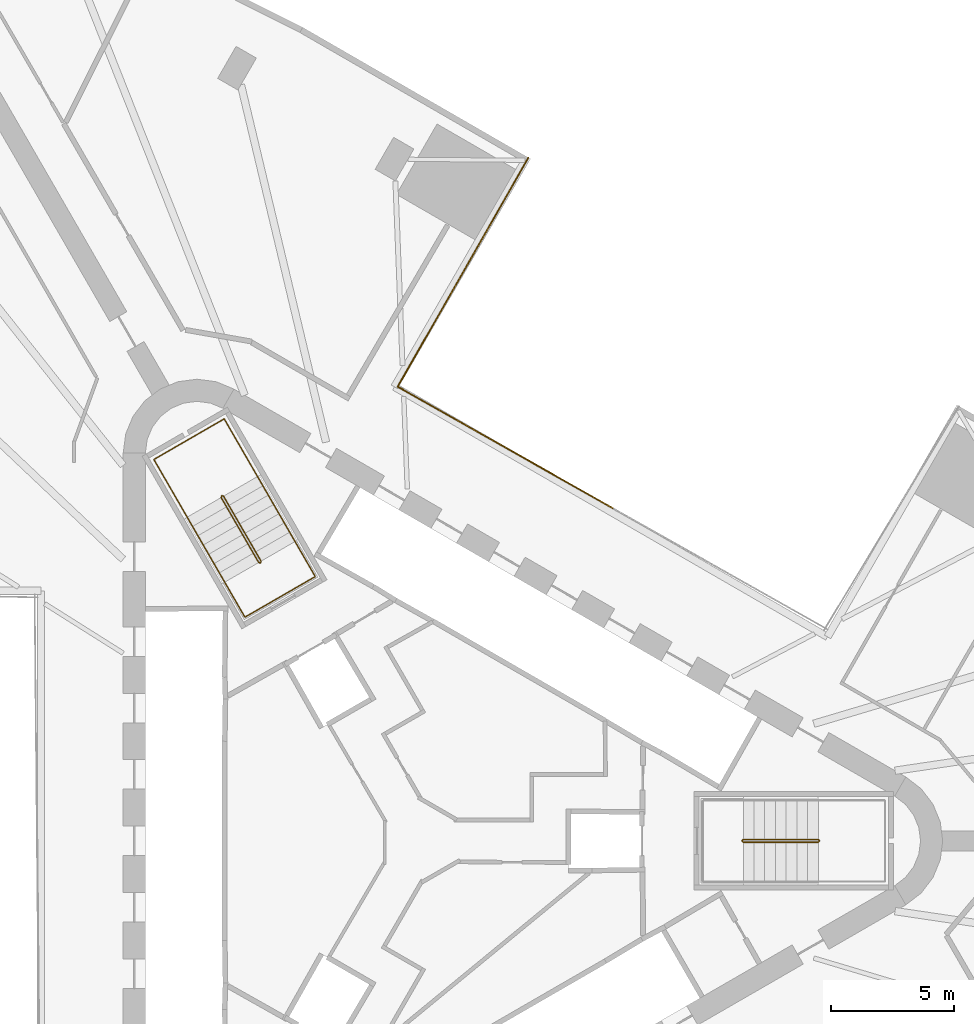
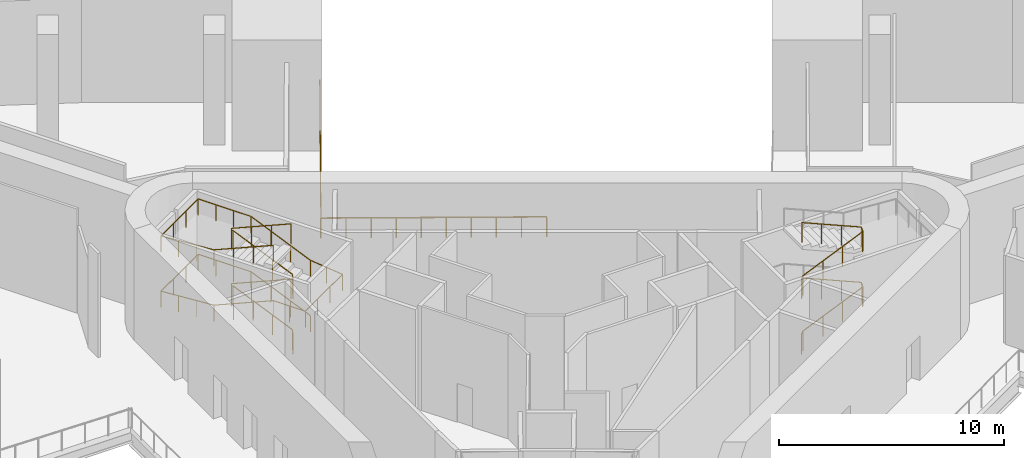
# One storey, part 10 of 11: 5 railings.
"""IFC4 building model written with IfcOpenShell, lengths in metres."""

from ifc_helpers import new_model, si_unit, direction, frame, origin, origin_2d, place, context, subcontext, project, spatial, circle, extrude, material, type_object, element, save


model = new_model("IFC4")

# Units and contexts
model_context = context("Model", 3, precision=1e-05, world=origin(), true_north=direction((0.0, 1.0)))
body_context = subcontext(model_context, "Body", "Model", "MODEL_VIEW")
ifc_project = project(units=[si_unit("LENGTHUNIT", "METRE"), si_unit("AREAUNIT", "SQUARE_METRE"), si_unit("VOLUMEUNIT", "CUBIC_METRE"), si_unit("PLANEANGLEUNIT", "RADIAN"), si_unit("MASSUNIT", "GRAM", prefix="KILO")], contexts=[model_context])

# Site, building, storey
site_placement = place(None, origin())
site = spatial("IfcSite", under=ifc_project, at=site_placement, CompositionType="ELEMENT")
building_placement = place(site_placement, origin())
building = spatial("IfcBuilding", under=site, at=building_placement, Name="Tanit Gate Tower", CompositionType="ELEMENT")
storey_placement = place(building_placement, frame((0.0, 0.0, 33.5)))
storey = spatial("IfcBuildingStorey", under=building, at=storey_placement, Name="L05", CompositionType="ELEMENT", Elevation=33.5)

# Railings
ifc_material_1 = material(Name="Stainless steel", Category="steel")
railing_type_1 = type_object("IfcRailingType", Name="Guard 1100 stainless steel balustrade", PredefinedType="GUARDRAIL", material=ifc_material_1)
railing_1_placement = place(storey_placement, frame((4.366943359375, 27.763916015625, 0.0)))
element("IfcRailing", 1, at=railing_1_placement, inside=storey, type_object=railing_type_1, Name="Tunnel edge guard L05 6", PredefinedType="GUARDRAIL", context=body_context, shape_type="SweptSolid", body=[
    extrude(circle(Radius=0.02392578125, at=origin_2d()), frame((0.0, 0.0, 1.076171875), z_axis=(-0.495702152138, -0.86849258855, 0.0), x_axis=(0.86849258855, -0.495702152138, 0.0)), (0.0, 0.0, 1.0), 10.716064453125),
    extrude(circle(Radius=0.02099609375, at=origin_2d()), origin(), (0.0, 0.0, 1.0), 1.052001953125),
    extrude(circle(Radius=0.02099609375, at=origin_2d()), frame((-0.59033203125, -1.0341796875, 0.0)), (0.0, 0.0, 1.0), 1.052001953125),
    extrude(circle(Radius=0.02099609375, at=origin_2d()), frame((-1.180419921875, -2.068115234375, 0.0)), (0.0, 0.0, 1.0), 1.052001953125),
    extrude(circle(Radius=0.02099609375, at=origin_2d()), frame((-1.770751953125, -3.102294921875, 0.0)), (0.0, 0.0, 1.0), 1.052001953125),
    extrude(circle(Radius=0.02099609375, at=origin_2d()), frame((-2.36083984375, -4.136474609375, 0.0)), (0.0, 0.0, 1.0), 1.052001953125),
    extrude(circle(Radius=0.02099609375, at=origin_2d()), frame((-2.951171875, -5.17041015625, 0.0)), (0.0, 0.0, 1.0), 1.052001953125),
    extrude(circle(Radius=0.02099609375, at=origin_2d()), frame((-3.541259765625, -6.20458984375, 0.0)), (0.0, 0.0, 1.0), 1.052001953125),
    extrude(circle(Radius=0.02099609375, at=origin_2d()), frame((-4.131591796875, -7.23876953125, 0.0)), (0.0, 0.0, 1.0), 1.052001953125),
    extrude(circle(Radius=0.02099609375, at=origin_2d()), frame((-4.7216796875, -8.272705078125, 0.0)), (0.0, 0.0, 1.0), 1.052001953125),
    extrude(circle(Radius=0.02099609375, at=origin_2d()), frame((-5.31201171875, -9.306884765625, 0.0)), (0.0, 0.0, 1.0), 1.052001953125),
])
railing_2_placement = place(storey_placement, frame((-0.945068359375, 18.45703125, 0.0)))
element("IfcRailing", 2, at=railing_2_placement, inside=storey, type_object=railing_type_1, Name="Tunnel edge guard L05 6", PredefinedType="GUARDRAIL", context=body_context, shape_type="SweptSolid", body=[
    extrude(circle(Radius=0.02392578125, at=origin_2d()), frame((0.0, 0.0, 1.076171875), z_axis=(0.870687554571, -0.491836540239, 0.0), x_axis=(0.491836540239, 0.870687554571, 0.0)), (0.0, 0.0, 1.0), 10.02392578125),
    extrude(circle(Radius=0.02099609375, at=origin_2d()), origin(), (0.0, 0.0, 1.0), 1.052001953125),
    extrude(circle(Radius=0.02099609375, at=origin_2d()), frame((0.9697265625, -0.5478515625, 0.0)), (0.0, 0.0, 1.0), 1.052001953125),
    extrude(circle(Radius=0.02099609375, at=origin_2d()), frame((1.939453125, -1.095703125, 0.0)), (0.0, 0.0, 1.0), 1.052001953125),
    extrude(circle(Radius=0.02099609375, at=origin_2d()), frame((2.9091796875, -1.643310546875, 0.0)), (0.0, 0.0, 1.0), 1.052001953125),
    extrude(circle(Radius=0.02099609375, at=origin_2d()), frame((3.87890625, -2.191162109375, 0.0)), (0.0, 0.0, 1.0), 1.052001953125),
    extrude(circle(Radius=0.02099609375, at=origin_2d()), frame((4.848876953125, -2.739013671875, 0.0)), (0.0, 0.0, 1.0), 1.052001953125),
    extrude(circle(Radius=0.02099609375, at=origin_2d()), frame((5.818603515625, -3.286865234375, 0.0)), (0.0, 0.0, 1.0), 1.052001953125),
    extrude(circle(Radius=0.02099609375, at=origin_2d()), frame((6.788330078125, -3.83447265625, 0.0)), (0.0, 0.0, 1.0), 1.052001953125),
    extrude(circle(Radius=0.02099609375, at=origin_2d()), frame((7.758056640625, -4.38232421875, 0.0)), (0.0, 0.0, 1.0), 1.052001953125),
    extrude(circle(Radius=0.02099609375, at=origin_2d()), frame((8.727783203125, -4.93017578125, 0.0)), (0.0, 0.0, 1.0), 1.052001953125),
])
ifc_material_2 = material(Name="Stainless steel balustrade", Category="steel")
railing_type_2 = type_object("IfcRailingType", Name="INT-STAIR-GUARD", PredefinedType="GUARDRAIL", material=ifc_material_2)
railing_3_placement = place(storey_placement, frame((13.044921875, 0.0048828125, 0.0)))
element("IfcRailing", 3, at=railing_3_placement, inside=storey, type_object=railing_type_2, Name="L05 S1 stair guard 1", PredefinedType="GUARDRAIL", context=body_context, shape_type="SweptSolid", body=[
    extrude(circle(Radius=0.02392578125, at=origin_2d()), frame((0.0, 0.0, 1.076171875), z_axis=(0.0, -1.0, 0.0), x_axis=(1.0, 0.0, 0.0)), (0.0, 0.0, 1.0), 0.009765625),
    extrude(circle(Radius=0.02392578125, at=origin_2d()), frame((0.0, -0.009765625, 1.076171875), z_axis=(0.249726431254, -0.249726431254, 0.935560483917), x_axis=(0.707106781187, 0.707106781187, 0.0)), (0.0, 0.0, 1.0), 0.200439453125),
    extrude(circle(Radius=0.02392578125, at=origin_2d()), frame((0.050048828125, -0.059814453125, 1.263671875), z_axis=(0.918608089886, 0.0, 0.395169808052), x_axis=(0.0, 1.0, 0.0)), (0.0, 0.0, 1.0), 3.3212890625),
    extrude(circle(Radius=0.02392578125, at=origin_2d()), frame((3.10107421875, -0.059814453125, 2.576171875), z_axis=(0.707106781187, 0.707106781187, 0.0), x_axis=(-0.707106781187, 0.707106781187, 0.0)), (0.0, 0.0, 1.0), 0.07080078125),
    extrude(circle(Radius=0.02392578125, at=origin_2d()), frame((3.151123046875, -0.009765625, 2.576171875), z_axis=(0.0, 1.0, 0.0), x_axis=(-1.0, 0.0, 0.0)), (0.0, 0.0, 1.0), 0.009765625),
    extrude(circle(Radius=0.02392578125, at=origin_2d()), frame((3.151123046875, 0.0, 2.576171875), z_axis=(-0.249726431254, 0.249726431254, 0.935560483917), x_axis=(-0.707106781187, -0.707106781187, 0.0)), (0.0, 0.0, 1.0), 0.200439453125),
    extrude(circle(Radius=0.02392578125, at=origin_2d()), frame((3.10107421875, 0.050048828125, 2.763671875), z_axis=(-0.918608089886, 0.0, 0.395169808052), x_axis=(0.0, -1.0, 0.0)), (0.0, 0.0, 1.0), 3.3212890625),
    extrude(circle(Radius=0.02392578125, at=origin_2d()), frame((0.050048828125, 0.050048828125, 4.076171875), z_axis=(-0.707106781187, -0.707106781187, 0.0), x_axis=(0.707106781187, -0.707106781187, 0.0)), (0.0, 0.0, 1.0), 0.07080078125),
    extrude(circle(Radius=0.02392578125, at=origin_2d()), frame((0.0, 0.0, 4.076171875), z_axis=(0.0, -1.0, 0.0), x_axis=(1.0, 0.0, 0.0)), (0.0, 0.0, 1.0), 0.009765625),
    extrude(circle(Radius=0.02392578125, at=origin_2d()), frame((0.0, -0.009765625, 4.076171875), z_axis=(0.249726431254, -0.249726431254, 0.935560483917), x_axis=(0.707106781187, 0.707106781187, 0.0)), (0.0, 0.0, 1.0), 0.200439453125),
    extrude(circle(Radius=0.02392578125, at=origin_2d()), frame((0.050048828125, -0.059814453125, 4.263671875), z_axis=(0.918608089886, 0.0, 0.395169808052), x_axis=(0.0, 1.0, 0.0)), (0.0, 0.0, 1.0), 3.3212890625),
    extrude(circle(Radius=0.02392578125, at=origin_2d()), frame((3.10107421875, -0.059814453125, 5.576171875), z_axis=(0.707106781187, 0.707106781187, 0.0), x_axis=(-0.707106781187, 0.707106781187, 0.0)), (0.0, 0.0, 1.0), 0.07080078125),
    extrude(circle(Radius=0.02392578125, at=origin_2d()), frame((3.151123046875, -0.009765625, 5.576171875), z_axis=(0.0, 1.0, 0.0), x_axis=(-1.0, 0.0, 0.0)), (0.0, 0.0, 1.0), 0.009765625),
    extrude(circle(Radius=0.02392578125, at=origin_2d()), frame((3.151123046875, 0.0, 5.576171875), z_axis=(-0.249726431254, 0.249726431254, 0.935560483917), x_axis=(-0.707106781187, -0.707106781187, 0.0)), (0.0, 0.0, 1.0), 0.200439453125),
    extrude(circle(Radius=0.02392578125, at=origin_2d()), frame((3.10107421875, 0.050048828125, 5.763671875), z_axis=(-0.918608089886, 0.0, 0.395169808052), x_axis=(0.0, -1.0, 0.0)), (0.0, 0.0, 1.0), 3.3212890625),
    extrude(circle(Radius=0.02099609375, at=origin_2d()), origin(), (0.0, 0.0, 1.0), 1.052001953125),
    extrude(circle(Radius=0.02099609375, at=origin_2d()), frame((0.0, -0.009765625, 0.0)), (0.0, 0.0, 1.0), 1.052001953125),
    extrude(circle(Radius=0.02099609375, at=origin_2d()), frame((0.050048828125, -0.059814453125, 0.1875)), (0.0, 0.0, 1.0), 1.052001953125),
    extrude(circle(Radius=0.02099609375, at=origin_2d()), frame((1.067138671875, -0.059814453125, 0.625)), (0.0, 0.0, 1.0), 1.052001953125),
    extrude(circle(Radius=0.02099609375, at=origin_2d()), frame((2.083984375, -0.059814453125, 1.0625)), (0.0, 0.0, 1.0), 1.052001953125),
    extrude(circle(Radius=0.02099609375, at=origin_2d()), frame((3.10107421875, -0.059814453125, 1.5)), (0.0, 0.0, 1.0), 1.052001953125),
    extrude(circle(Radius=0.02099609375, at=origin_2d()), frame((3.151123046875, -0.009765625, 1.5)), (0.0, 0.0, 1.0), 1.052001953125),
    extrude(circle(Radius=0.02099609375, at=origin_2d()), frame((3.151123046875, 0.0, 1.5)), (0.0, 0.0, 1.0), 1.052001953125),
    extrude(circle(Radius=0.02099609375, at=origin_2d()), frame((3.10107421875, 0.050048828125, 1.6875)), (0.0, 0.0, 1.0), 1.052001953125),
    extrude(circle(Radius=0.02099609375, at=origin_2d()), frame((2.083984375, 0.050048828125, 2.125)), (0.0, 0.0, 1.0), 1.052001953125),
    extrude(circle(Radius=0.02099609375, at=origin_2d()), frame((1.067138671875, 0.050048828125, 2.5625)), (0.0, 0.0, 1.0), 1.052001953125),
    extrude(circle(Radius=0.02099609375, at=origin_2d()), frame((0.050048828125, 0.050048828125, 3.0)), (0.0, 0.0, 1.0), 1.052001953125),
    extrude(circle(Radius=0.02099609375, at=origin_2d()), frame((0.0, 0.0, 3.0)), (0.0, 0.0, 1.0), 1.052001953125),
    extrude(circle(Radius=0.02099609375, at=origin_2d()), frame((0.0, -0.009765625, 3.0)), (0.0, 0.0, 1.0), 1.052001953125),
    extrude(circle(Radius=0.02099609375, at=origin_2d()), frame((0.050048828125, -0.059814453125, 3.1875)), (0.0, 0.0, 1.0), 1.052001953125),
    extrude(circle(Radius=0.02099609375, at=origin_2d()), frame((1.067138671875, -0.059814453125, 3.625)), (0.0, 0.0, 1.0), 1.052001953125),
    extrude(circle(Radius=0.02099609375, at=origin_2d()), frame((2.083984375, -0.059814453125, 4.0625)), (0.0, 0.0, 1.0), 1.052001953125),
    extrude(circle(Radius=0.02099609375, at=origin_2d()), frame((3.10107421875, -0.059814453125, 4.5)), (0.0, 0.0, 1.0), 1.052001953125),
    extrude(circle(Radius=0.02099609375, at=origin_2d()), frame((3.151123046875, -0.009765625, 4.5)), (0.0, 0.0, 1.0), 1.052001953125),
    extrude(circle(Radius=0.02099609375, at=origin_2d()), frame((3.151123046875, 0.0, 4.5)), (0.0, 0.0, 1.0), 1.052001953125),
    extrude(circle(Radius=0.02099609375, at=origin_2d()), frame((3.10107421875, 0.050048828125, 4.6875)), (0.0, 0.0, 1.0), 1.052001953125),
    extrude(circle(Radius=0.02099609375, at=origin_2d()), frame((2.083984375, 0.050048828125, 5.125)), (0.0, 0.0, 1.0), 1.052001953125),
    extrude(circle(Radius=0.02099609375, at=origin_2d()), frame((1.067138671875, 0.050048828125, 5.5625)), (0.0, 0.0, 1.0), 1.052001953125),
    extrude(circle(Radius=0.02099609375, at=origin_2d()), frame((0.050048828125, 0.050048828125, 6.0)), (0.0, 0.0, 1.0), 1.052001953125),
])
railing_4_placement = place(storey_placement, frame((-6.527099609375, 11.29345703125, 0.0)))
element("IfcRailing", 4, at=railing_4_placement, inside=storey, type_object=railing_type_2, Name="L05 S2 stair guard 1", PredefinedType="GUARDRAIL", context=body_context, shape_type="SweptSolid", body=[
    extrude(circle(Radius=0.02392578125, at=origin_2d()), frame((0.0, 0.0, 1.076171875), z_axis=(0.868243142124, 0.496138938357, 0.0), x_axis=(-0.496138938357, 0.868243142124, 0.0)), (0.0, 0.0, 1.0), 0.01171875),
    extrude(circle(Radius=0.02392578125, at=origin_2d()), frame((0.01025390625, 0.005859375, 1.076171875), z_axis=(0.091365023295, 0.341096086969, 0.935577838543), x_axis=(-0.965948051503, 0.258736085224, 0.0)), (0.0, 0.0, 1.0), 0.200439453125),
    extrude(circle(Radius=0.02392578125, at=origin_2d()), frame((0.028564453125, 0.07421875, 1.263671875), z_axis=(-0.459281500864, 0.79545055458, 0.395371873282), x_axis=(-0.866012246495, -0.500022788402, 0.0)), (0.0, 0.0, 1.0), 3.319580078125),
    extrude(circle(Radius=0.02392578125, at=origin_2d()), frame((-1.49609375, 2.71484375, 2.576171875), z_axis=(-0.965715946433, 0.259601060869, 0.0), x_axis=(-0.259601060869, -0.965715946433, 0.0)), (0.0, 0.0, 1.0), 0.070556640625),
    extrude(circle(Radius=0.02392578125, at=origin_2d()), frame((-1.564208984375, 2.733154296875, 2.576171875), z_axis=(-0.873197702015, -0.487366159264, 0.0), x_axis=(0.487366159264, -0.873197702015, 0.0)), (0.0, 0.0, 1.0), 0.011962890625),
    extrude(circle(Radius=0.02392578125, at=origin_2d()), frame((-1.57470703125, 2.727294921875, 2.576171875), z_axis=(-0.091365023295, -0.341096086969, 0.935577838543), x_axis=(0.965948051503, -0.258736085224, 0.0)), (0.0, 0.0, 1.0), 0.200439453125),
    extrude(circle(Radius=0.02392578125, at=origin_2d()), frame((-1.593017578125, 2.658935546875, 2.763671875), z_axis=(0.459281500864, -0.79545055458, 0.395371873282), x_axis=(0.866012246495, 0.500022788402, 0.0)), (0.0, 0.0, 1.0), 3.319580078125),
    extrude(circle(Radius=0.02392578125, at=origin_2d()), frame((-0.068359375, 0.018310546875, 4.076171875), z_axis=(0.965948051503, -0.258736085224, 0.0), x_axis=(0.258736085224, 0.965948051503, 0.0)), (0.0, 0.0, 1.0), 0.07080078125),
    extrude(circle(Radius=0.02392578125, at=origin_2d()), frame((0.0, 0.0, 4.076171875), z_axis=(0.868243142124, 0.496138938357, 0.0), x_axis=(-0.496138938357, 0.868243142124, 0.0)), (0.0, 0.0, 1.0), 0.01171875),
    extrude(circle(Radius=0.02392578125, at=origin_2d()), frame((0.01025390625, 0.005859375, 4.076171875), z_axis=(0.091365023295, 0.341096086969, 0.935577838543), x_axis=(-0.965948051503, 0.258736085224, 0.0)), (0.0, 0.0, 1.0), 0.200439453125),
    extrude(circle(Radius=0.02392578125, at=origin_2d()), frame((0.028564453125, 0.07421875, 4.263671875), z_axis=(-0.459281500864, 0.79545055458, 0.395371873282), x_axis=(-0.866012246495, -0.500022788402, 0.0)), (0.0, 0.0, 1.0), 3.319580078125),
    extrude(circle(Radius=0.02392578125, at=origin_2d()), frame((-1.49609375, 2.71484375, 5.576171875), z_axis=(-0.965715946433, 0.259601060869, 0.0), x_axis=(-0.259601060869, -0.965715946433, 0.0)), (0.0, 0.0, 1.0), 0.070556640625),
    extrude(circle(Radius=0.02392578125, at=origin_2d()), frame((-1.564208984375, 2.733154296875, 5.576171875), z_axis=(-0.873197702015, -0.487366159264, 0.0), x_axis=(0.487366159264, -0.873197702015, 0.0)), (0.0, 0.0, 1.0), 0.011962890625),
    extrude(circle(Radius=0.02392578125, at=origin_2d()), frame((-1.57470703125, 2.727294921875, 5.576171875), z_axis=(-0.091365023295, -0.341096086969, 0.935577838543), x_axis=(0.965948051503, -0.258736085224, 0.0)), (0.0, 0.0, 1.0), 0.200439453125),
    extrude(circle(Radius=0.02392578125, at=origin_2d()), frame((-1.593017578125, 2.658935546875, 5.763671875), z_axis=(0.459281500864, -0.79545055458, 0.395371873282), x_axis=(0.866012246495, 0.500022788402, 0.0)), (0.0, 0.0, 1.0), 3.319580078125),
    extrude(circle(Radius=0.02099609375, at=origin_2d()), origin(), (0.0, 0.0, 1.0), 1.052001953125),
    extrude(circle(Radius=0.02099609375, at=origin_2d()), frame((0.01025390625, 0.005859375, 0.0)), (0.0, 0.0, 1.0), 1.052001953125),
    extrude(circle(Radius=0.02099609375, at=origin_2d()), frame((0.028564453125, 0.07421875, 0.1875)), (0.0, 0.0, 1.0), 1.052001953125),
    extrude(circle(Radius=0.02099609375, at=origin_2d()), frame((-0.479736328125, 0.954345703125, 0.625)), (0.0, 0.0, 1.0), 1.052001953125),
    extrude(circle(Radius=0.02099609375, at=origin_2d()), frame((-0.98779296875, 1.834716796875, 1.0625)), (0.0, 0.0, 1.0), 1.052001953125),
    extrude(circle(Radius=0.02099609375, at=origin_2d()), frame((-1.49609375, 2.71484375, 1.5)), (0.0, 0.0, 1.0), 1.052001953125),
    extrude(circle(Radius=0.02099609375, at=origin_2d()), frame((-1.564208984375, 2.733154296875, 1.5)), (0.0, 0.0, 1.0), 1.052001953125),
    extrude(circle(Radius=0.02099609375, at=origin_2d()), frame((-1.57470703125, 2.727294921875, 1.5)), (0.0, 0.0, 1.0), 1.052001953125),
    extrude(circle(Radius=0.02099609375, at=origin_2d()), frame((-1.593017578125, 2.658935546875, 1.6875)), (0.0, 0.0, 1.0), 1.052001953125),
    extrude(circle(Radius=0.02099609375, at=origin_2d()), frame((-1.084716796875, 1.77880859375, 2.125)), (0.0, 0.0, 1.0), 1.052001953125),
    extrude(circle(Radius=0.02099609375, at=origin_2d()), frame((-0.57666015625, 0.8984375, 2.5625)), (0.0, 0.0, 1.0), 1.052001953125),
    extrude(circle(Radius=0.02099609375, at=origin_2d()), frame((-0.068359375, 0.018310546875, 3.0)), (0.0, 0.0, 1.0), 1.052001953125),
    extrude(circle(Radius=0.02099609375, at=origin_2d()), frame((0.0, 0.0, 3.0)), (0.0, 0.0, 1.0), 1.052001953125),
    extrude(circle(Radius=0.02099609375, at=origin_2d()), frame((0.01025390625, 0.005859375, 3.0)), (0.0, 0.0, 1.0), 1.052001953125),
    extrude(circle(Radius=0.02099609375, at=origin_2d()), frame((0.028564453125, 0.07421875, 3.1875)), (0.0, 0.0, 1.0), 1.052001953125),
    extrude(circle(Radius=0.02099609375, at=origin_2d()), frame((-0.479736328125, 0.954345703125, 3.625)), (0.0, 0.0, 1.0), 1.052001953125),
    extrude(circle(Radius=0.02099609375, at=origin_2d()), frame((-0.98779296875, 1.834716796875, 4.0625)), (0.0, 0.0, 1.0), 1.052001953125),
    extrude(circle(Radius=0.02099609375, at=origin_2d()), frame((-1.49609375, 2.71484375, 4.5)), (0.0, 0.0, 1.0), 1.052001953125),
    extrude(circle(Radius=0.02099609375, at=origin_2d()), frame((-1.564208984375, 2.733154296875, 4.5)), (0.0, 0.0, 1.0), 1.052001953125),
    extrude(circle(Radius=0.02099609375, at=origin_2d()), frame((-1.57470703125, 2.727294921875, 4.5)), (0.0, 0.0, 1.0), 1.052001953125),
    extrude(circle(Radius=0.02099609375, at=origin_2d()), frame((-1.593017578125, 2.658935546875, 4.6875)), (0.0, 0.0, 1.0), 1.052001953125),
    extrude(circle(Radius=0.02099609375, at=origin_2d()), frame((-1.084716796875, 1.77880859375, 5.125)), (0.0, 0.0, 1.0), 1.052001953125),
    extrude(circle(Radius=0.02099609375, at=origin_2d()), frame((-0.57666015625, 0.8984375, 5.5625)), (0.0, 0.0, 1.0), 1.052001953125),
    extrude(circle(Radius=0.02099609375, at=origin_2d()), frame((-0.068359375, 0.018310546875, 6.0)), (0.0, 0.0, 1.0), 1.052001953125),
])
ifc_material_3 = material(Name="Stainless steel handrail", Category="steel")
railing_type_3 = type_object("IfcRailingType", Name="INT-STAIR-HANDRAIL", PredefinedType="HANDRAIL", material=ifc_material_3)
railing_5_placement = place(storey_placement, frame((-5.1181640625, 12.164794921875, 0.1875)))
element("IfcRailing", 5, at=railing_5_placement, inside=storey, type_object=railing_type_3, Name="L05 S2 stair handrail 1", PredefinedType="HANDRAIL", context=body_context, shape_type="SweptSolid", body=[
    extrude(circle(Radius=0.02392578125, at=origin_2d()), frame((0.0, 0.0, 0.8759765625), z_axis=(-0.459223467357, 0.795477421995, 0.3953852275), x_axis=(-0.866046917185, -0.499962735845, 0.0)), (0.0, 0.0, 1.0), 3.319580078125),
    extrude(circle(Radius=0.02392578125, at=origin_2d()), frame((-1.5244140625, 2.640625, 2.1884765625), z_axis=(-0.500019123664, 0.86601436245, 0.0), x_axis=(-0.86601436245, -0.500019123664, 0.0)), (0.0, 0.0, 1.0), 2.70703125),
    extrude(circle(Radius=0.02392578125, at=origin_2d()), frame((-2.8779296875, 4.98486328125, 2.1884765625), z_axis=(-0.866008176907, -0.50002983664, 0.0), x_axis=(0.50002983664, -0.866008176907, 0.0)), (0.0, 0.0, 1.0), 3.300048828125),
    extrude(circle(Radius=0.02392578125, at=origin_2d()), frame((-5.73583984375, 3.334716796875, 2.1884765625), z_axis=(0.498862685348, -0.863921472227, 0.069106519182), x_axis=(0.865991810323, 0.500058181068, 0.0)), (0.0, 0.0, 1.0), 2.713134765625),
    extrude(circle(Radius=0.02392578125, at=origin_2d()), frame((-4.38232421875, 0.99072265625, 2.3759765625), z_axis=(0.459254633775, -0.795477561817, 0.395348744784), x_axis=(0.866032263162, 0.499988119021, 0.0)), (0.0, 0.0, 1.0), 3.31982421875),
    extrude(circle(Radius=0.02392578125, at=origin_2d()), frame((-2.857666015625, -1.650146484375, 3.6884765625), z_axis=(0.499941024108, -0.866059450854, 0.0), x_axis=(0.866059450854, 0.499941024108, 0.0)), (0.0, 0.0, 1.0), 1.643798828125),
    extrude(circle(Radius=0.02392578125, at=origin_2d()), frame((-2.035888671875, -3.07373046875, 3.6884765625), z_axis=(0.866040211805, 0.499974350878, 0.0), x_axis=(-0.499974350878, 0.866040211805, 0.0)), (0.0, 0.0, 1.0), 3.300048828125),
    extrude(circle(Radius=0.02392578125, at=origin_2d()), frame((0.822021484375, -1.423828125, 3.6884765625), z_axis=(-0.496767975462, 0.860454657824, 0.113310901442), x_axis=(-0.866032269107, -0.499988108725, 0.0)), (0.0, 0.0, 1.0), 1.65478515625),
    extrude(circle(Radius=0.02392578125, at=origin_2d()), frame((0.0, 0.0, 3.8759765625), z_axis=(-0.459223467357, 0.795477421995, 0.3953852275), x_axis=(-0.866046917185, -0.499962735845, 0.0)), (0.0, 0.0, 1.0), 3.319580078125),
    extrude(circle(Radius=0.02392578125, at=origin_2d()), frame((-1.5244140625, 2.640625, 5.1884765625), z_axis=(-0.500019123664, 0.86601436245, 0.0), x_axis=(-0.86601436245, -0.500019123664, 0.0)), (0.0, 0.0, 1.0), 2.70703125),
    extrude(circle(Radius=0.02392578125, at=origin_2d()), frame((-2.8779296875, 4.98486328125, 5.1884765625), z_axis=(-0.866008176907, -0.50002983664, 0.0), x_axis=(0.50002983664, -0.866008176907, 0.0)), (0.0, 0.0, 1.0), 3.300048828125),
    extrude(circle(Radius=0.02392578125, at=origin_2d()), frame((-5.73583984375, 3.334716796875, 5.1884765625), z_axis=(0.498862685348, -0.863921472227, 0.069106519182), x_axis=(0.865991810323, 0.500058181068, 0.0)), (0.0, 0.0, 1.0), 2.713134765625),
    extrude(circle(Radius=0.02392578125, at=origin_2d()), frame((-4.38232421875, 0.99072265625, 5.3759765625), z_axis=(0.459254633775, -0.795477561817, 0.395348744784), x_axis=(0.866032263162, 0.499988119021, 0.0)), (0.0, 0.0, 1.0), 3.31982421875),
    extrude(circle(Radius=0.02099609375, at=origin_2d()), origin(), (0.0, 0.0, 1.0), 0.851806640625),
    extrude(circle(Radius=0.02099609375, at=origin_2d()), frame((-0.508056640625, 0.880126953125, 0.4375)), (0.0, 0.0, 1.0), 0.851806640625),
    extrude(circle(Radius=0.02099609375, at=origin_2d()), frame((-1.016357421875, 1.760498046875, 0.875)), (0.0, 0.0, 1.0), 0.851806640625),
    extrude(circle(Radius=0.02099609375, at=origin_2d()), frame((-1.5244140625, 2.640625, 1.3125)), (0.0, 0.0, 1.0), 0.851806640625),
    extrude(circle(Radius=0.02099609375, at=origin_2d()), frame((-1.9755859375, 3.422119140625, 1.3125)), (0.0, 0.0, 1.0), 0.851806640625),
    extrude(circle(Radius=0.02099609375, at=origin_2d()), frame((-2.4267578125, 4.203369140625, 1.3125)), (0.0, 0.0, 1.0), 0.851806640625),
    extrude(circle(Radius=0.02099609375, at=origin_2d()), frame((-2.8779296875, 4.98486328125, 1.3125)), (0.0, 0.0, 1.0), 0.851806640625),
    extrude(circle(Radius=0.02099609375, at=origin_2d()), frame((-3.83056640625, 4.434814453125, 1.3125)), (0.0, 0.0, 1.0), 0.851806640625),
    extrude(circle(Radius=0.02099609375, at=origin_2d()), frame((-4.783203125, 3.884765625, 1.3125)), (0.0, 0.0, 1.0), 0.851806640625),
    extrude(circle(Radius=0.02099609375, at=origin_2d()), frame((-5.73583984375, 3.334716796875, 1.3125)), (0.0, 0.0, 1.0), 0.851806640625),
    extrude(circle(Radius=0.02099609375, at=origin_2d()), frame((-5.28466796875, 2.553466796875, 1.375)), (0.0, 0.0, 1.0), 0.851806640625),
    extrude(circle(Radius=0.02099609375, at=origin_2d()), frame((-4.83349609375, 1.77197265625, 1.4375)), (0.0, 0.0, 1.0), 0.851806640625),
    extrude(circle(Radius=0.02099609375, at=origin_2d()), frame((-4.38232421875, 0.99072265625, 1.5)), (0.0, 0.0, 1.0), 0.851806640625),
    extrude(circle(Radius=0.02099609375, at=origin_2d()), frame((-3.8740234375, 0.1103515625, 1.9375)), (0.0, 0.0, 1.0), 0.851806640625),
    extrude(circle(Radius=0.02099609375, at=origin_2d()), frame((-3.365966796875, -0.769775390625, 2.375)), (0.0, 0.0, 1.0), 0.851806640625),
    extrude(circle(Radius=0.02099609375, at=origin_2d()), frame((-2.857666015625, -1.650146484375, 2.8125)), (0.0, 0.0, 1.0), 0.851806640625),
    extrude(circle(Radius=0.02099609375, at=origin_2d()), frame((-2.44677734375, -2.36181640625, 2.8125)), (0.0, 0.0, 1.0), 0.851806640625),
    extrude(circle(Radius=0.02099609375, at=origin_2d()), frame((-2.035888671875, -3.07373046875, 2.8125)), (0.0, 0.0, 1.0), 0.851806640625),
    extrude(circle(Radius=0.02099609375, at=origin_2d()), frame((-1.083251953125, -2.523681640625, 2.8125)), (0.0, 0.0, 1.0), 0.851806640625),
    extrude(circle(Radius=0.02099609375, at=origin_2d()), frame((-0.130615234375, -1.973876953125, 2.8125)), (0.0, 0.0, 1.0), 0.851806640625),
    extrude(circle(Radius=0.02099609375, at=origin_2d()), frame((0.822021484375, -1.423828125, 2.8125)), (0.0, 0.0, 1.0), 0.851806640625),
    extrude(circle(Radius=0.02099609375, at=origin_2d()), frame((0.4111328125, -0.7119140625, 2.90625)), (0.0, 0.0, 1.0), 0.851806640625),
    extrude(circle(Radius=0.02099609375, at=origin_2d()), frame((0.0, 0.0, 3.0)), (0.0, 0.0, 1.0), 0.851806640625),
    extrude(circle(Radius=0.02099609375, at=origin_2d()), frame((-0.508056640625, 0.880126953125, 3.4375)), (0.0, 0.0, 1.0), 0.851806640625),
    extrude(circle(Radius=0.02099609375, at=origin_2d()), frame((-1.016357421875, 1.760498046875, 3.875)), (0.0, 0.0, 1.0), 0.851806640625),
    extrude(circle(Radius=0.02099609375, at=origin_2d()), frame((-1.5244140625, 2.640625, 4.3125)), (0.0, 0.0, 1.0), 0.851806640625),
    extrude(circle(Radius=0.02099609375, at=origin_2d()), frame((-1.9755859375, 3.422119140625, 4.3125)), (0.0, 0.0, 1.0), 0.851806640625),
    extrude(circle(Radius=0.02099609375, at=origin_2d()), frame((-2.4267578125, 4.203369140625, 4.3125)), (0.0, 0.0, 1.0), 0.851806640625),
    extrude(circle(Radius=0.02099609375, at=origin_2d()), frame((-2.8779296875, 4.98486328125, 4.3125)), (0.0, 0.0, 1.0), 0.851806640625),
    extrude(circle(Radius=0.02099609375, at=origin_2d()), frame((-3.83056640625, 4.434814453125, 4.3125)), (0.0, 0.0, 1.0), 0.851806640625),
    extrude(circle(Radius=0.02099609375, at=origin_2d()), frame((-4.783203125, 3.884765625, 4.3125)), (0.0, 0.0, 1.0), 0.851806640625),
    extrude(circle(Radius=0.02099609375, at=origin_2d()), frame((-5.73583984375, 3.334716796875, 4.3125)), (0.0, 0.0, 1.0), 0.851806640625),
    extrude(circle(Radius=0.02099609375, at=origin_2d()), frame((-5.28466796875, 2.553466796875, 4.375)), (0.0, 0.0, 1.0), 0.851806640625),
    extrude(circle(Radius=0.02099609375, at=origin_2d()), frame((-4.83349609375, 1.77197265625, 4.4375)), (0.0, 0.0, 1.0), 0.851806640625),
    extrude(circle(Radius=0.02099609375, at=origin_2d()), frame((-4.38232421875, 0.99072265625, 4.5)), (0.0, 0.0, 1.0), 0.851806640625),
    extrude(circle(Radius=0.02099609375, at=origin_2d()), frame((-3.8740234375, 0.1103515625, 4.9375)), (0.0, 0.0, 1.0), 0.851806640625),
    extrude(circle(Radius=0.02099609375, at=origin_2d()), frame((-3.365966796875, -0.769775390625, 5.375)), (0.0, 0.0, 1.0), 0.851806640625),
    extrude(circle(Radius=0.02099609375, at=origin_2d()), frame((-2.857666015625, -1.650146484375, 5.8125)), (0.0, 0.0, 1.0), 0.851806640625),
])

save(model, "model.ifc")
